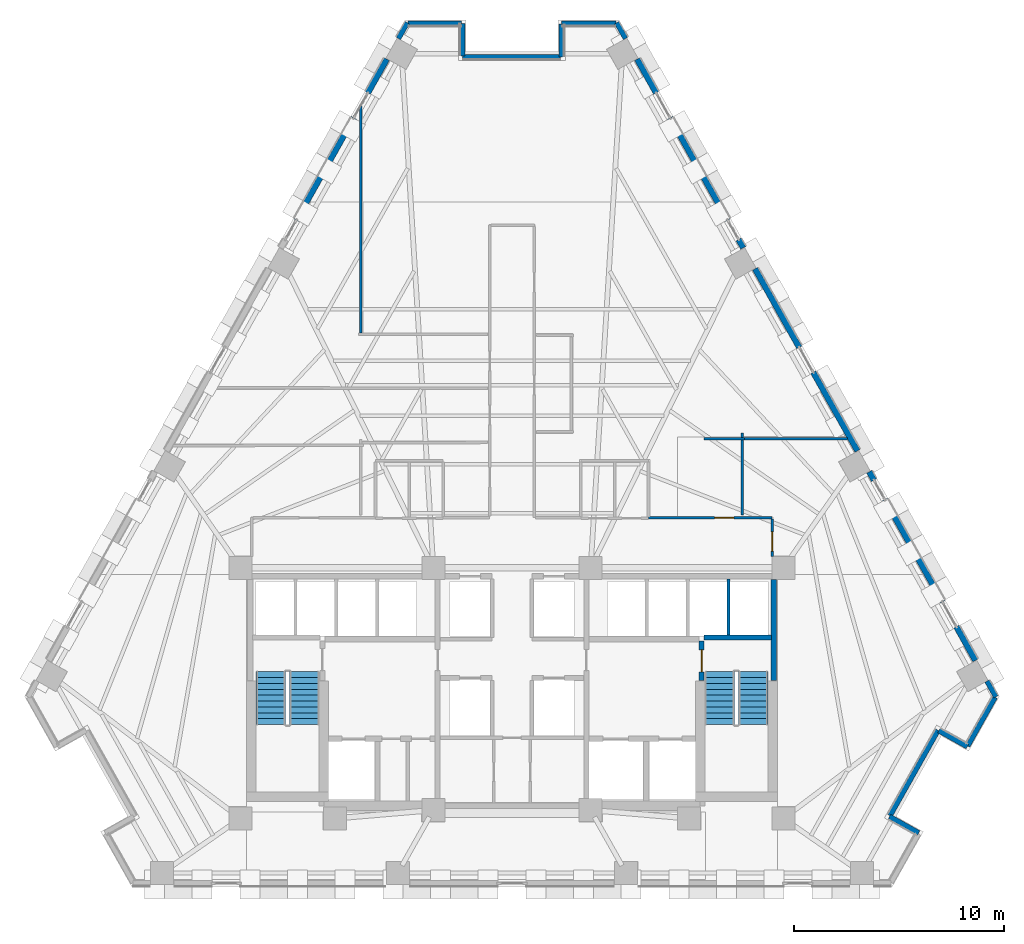
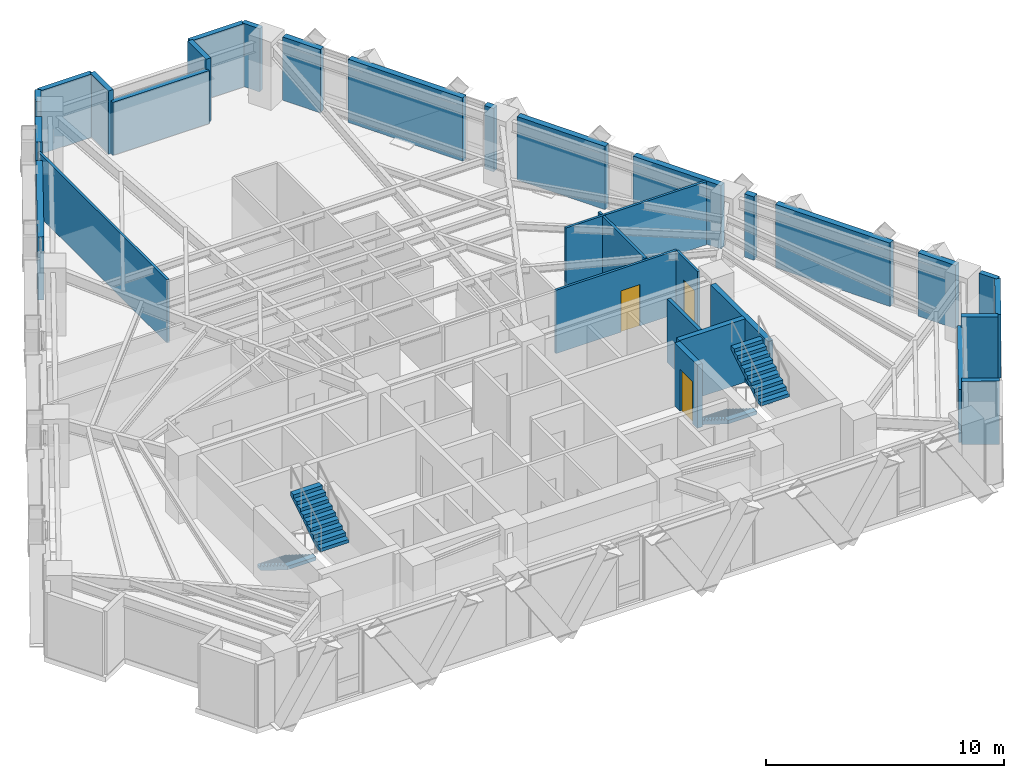
# One storey, part 9 of 13: 33 walls, 4 stair flights, 3 doors, 3 openings, 2 elements without a shape of their own.
"""IFC4 building model written with IfcOpenShell, lengths in metres."""

from ifc_helpers import new_model, si_unit, direction, frame, frame_2d, origin, place, context, subcontext, project, spatial, polyline, rectangle, outline, extrude, material, layer, layer_set, type_object, element, fill, aggregate, save


model = new_model("IFC4")

# Units and contexts
model_context = context("Model", 3, precision=1e-05, world=origin(), true_north=direction((0.0, 1.0)))
body_context = subcontext(model_context, "Body", "Model", "MODEL_VIEW")
ifc_project = project(units=[si_unit("LENGTHUNIT", "METRE"), si_unit("AREAUNIT", "SQUARE_METRE"), si_unit("VOLUMEUNIT", "CUBIC_METRE"), si_unit("PLANEANGLEUNIT", "RADIAN"), si_unit("MASSUNIT", "GRAM", prefix="KILO")], contexts=[model_context])

# Site, building, storey
site_placement = place(None, origin())
site = spatial("IfcSite", under=ifc_project, at=site_placement, CompositionType="ELEMENT")
building_placement = place(site_placement, origin())
building = spatial("IfcBuilding", under=site, at=building_placement, Name="Quenlor Broadcast Tower", CompositionType="ELEMENT")
storey_placement = place(building_placement, frame((0.0, 0.0, 98.5)))
storey = spatial("IfcBuildingStorey", under=building, at=storey_placement, Name="L26", CompositionType="ELEMENT", Elevation=98.5)

# Wall, opening, door
ifc_material_1 = material(Name="Concrete C40/50", Category="concrete")
ifc_layer_1 = layer(ifc_material_1, 0.25)
ifc_layer_set_1 = layer_set([ifc_layer_1], Name="Fire Rated Concrete C40/50 Core Wall 250")
wall_type_1 = type_object("IfcWallType", Name="Fire Rated Concrete C40/50 Core Wall 250", PredefinedType="PARTITIONING", material=ifc_layer_set_1)
wall_1_placement = place(storey_placement, frame((9.0400390625, -10.179931640625, 0.0), z_axis=(0.0, 0.0, 1.0), x_axis=(0.0, 1.0, 0.0)))
wall_1 = element("IfcWall", 1, at=wall_1_placement, inside=storey, type_object=wall_type_1, Name="L26 Interior Wall CW-ST2-DR", PredefinedType="PARTITIONING", context=body_context, shape_type="SweptSolid", body=[
    extrude(rectangle(XDim=1.89990234375, YDim=0.25, at=frame_2d((0.949951171875, 0.0))), origin(), (0.0, 0.0, 1.0), 3.25),
])
opening_1_placement = place(wall_1_placement, frame((0.419921875, 0.0, 0.0)))
opening_1 = element("IfcOpeningElement", 2, at=opening_1_placement, cuts=wall_1, Name="Opening FD-1", PredefinedType="OPENING", context=body_context, shape_type="SweptSolid", body=[
    extrude(rectangle(XDim=1.050048828125, YDim=2.14990234375, at=frame_2d((0.52490234375, 1.074951171875))), frame((0.0, 0.135009765625, 0.0), z_axis=(0.0, -1.0, 0.0), x_axis=(1.0, 0.0, 0.0)), (0.0, 0.0, 1.0), 0.27001953125),
])
ifc_material_2 = material(Name="Fire Rated Steel Door Leaf", Category="steel")
door_type_1 = type_object("IfcDoorType", Name="Fire Isolated Stair Door 1050x2150", OperationType="NOTDEFINED", PredefinedType="DOOR", material=ifc_material_2)
door_1_placement = place(opening_1_placement, origin())
door_1 = element("IfcDoor", 3, at=door_1_placement, inside=storey, type_object=door_type_1, Name="L26 Door DR-ST2", OperationType="SINGLE_SWING_RIGHT", OverallHeight=2.14990234375, OverallWidth=1.050048828125, PredefinedType="DOOR", context=body_context, shape_type="SweptSolid", body=[
    extrude(rectangle(XDim=1.050048828125, YDim=2.14990234375, at=frame_2d((0.52490234375, 1.074951171875))), frame((0.0, 0.02490234375, 0.0), z_axis=(0.0, -1.0, 0.0), x_axis=(1.0, 0.0, 0.0)), (0.0, 0.0, 1.0), 0.050048828125),
])
fill(opening_1, door_1)

# Walls
wall_2_placement = place(storey_placement, frame((9.159912109375, -8.1201171875, 0.0), z_axis=(0.0, 0.0, 1.0), x_axis=(1.0, 0.0, 0.0)))
element("IfcWall", 4, at=wall_2_placement, inside=storey, type_object=wall_type_1, Name="L26 Interior Wall CW-ST2-N", PredefinedType="PARTITIONING", context=body_context, shape_type="SweptSolid", body=[
    extrude(rectangle(XDim=3.219970703125, YDim=0.25, at=frame_2d((1.60986328125, 0.0))), origin(), (0.0, 0.0, 1.0), 3.25),
])
wall_3_placement = place(storey_placement, frame((12.47998046875, -10.179931640625, 0.0), z_axis=(0.0, 0.0, 1.0), x_axis=(0.0, 1.0, 0.0)))
element("IfcWall", 5, at=wall_3_placement, inside=storey, type_object=wall_type_1, Name="L26 Interior Wall CW-ST2-E2", PredefinedType="PARTITIONING", context=body_context, shape_type="SweptSolid", body=[
    extrude(rectangle(XDim=4.827880859375, YDim=0.25, at=frame_2d((2.4140625, 0.0))), origin(), (0.0, 0.0, 1.0), 3.25),
])
ifc_material_3 = material(Name="Gypsum Fireboard Partition", Category="other")
ifc_layer_2 = layer(ifc_material_3, 0.159912109375)
ifc_layer_set_2 = layer_set([ifc_layer_2], Name="Fire Rated Shaft and Corridor Partition 160")
wall_type_2 = type_object("IfcWallType", Name="Fire Rated Shaft and Corridor Partition 160", PredefinedType="PARTITIONING", material=ifc_layer_set_2)
wall_4_placement = place(storey_placement, frame((10.324951171875, -7.992919921875, 0.0), z_axis=(0.0, 0.0, 1.0), x_axis=(0.0, 1.0, 0.0)))
element("IfcWall", 6, at=wall_4_placement, inside=storey, type_object=wall_type_2, Name="L26 Interior Wall CW-PLH-D3", PredefinedType="PARTITIONING", context=body_context, shape_type="SweptSolid", body=[
    extrude(rectangle(XDim=2.65283203125, YDim=0.159912109375, at=frame_2d((1.326416015625, 0.0))), origin(), (0.0, 0.0, 1.0), 3.25),
])

# Wall, opening, door
ifc_material_4 = material(Name="Gypsum Plasterboard Partition", Category="other")
ifc_layer_3 = layer(ifc_material_4, 0.1201171875)
ifc_layer_set_3 = layer_set([ifc_layer_3], Name="Standard Office Partition 120")
wall_type_3 = type_object("IfcWallType", Name="Standard Office Partition 120", PredefinedType="PARTITIONING", material=ifc_layer_set_3)
wall_5_placement = place(storey_placement, frame((6.511962890625, -2.39990234375, 0.0), z_axis=(0.0, 0.0, 1.0), x_axis=(1.0, 0.0, 0.0)))
wall_5 = element("IfcWall", 7, at=wall_5_placement, inside=storey, type_object=wall_type_3, Name="L26 Interior Wall PW-CR-06S2", PredefinedType="PARTITIONING", context=body_context, shape_type="SweptSolid", body=[
    extrude(rectangle(XDim=5.89794921875, YDim=0.1201171875, at=frame_2d((2.948974609375, 0.0))), origin(), (0.0, 0.0, 1.0), 3.25),
])
opening_2_placement = place(wall_5_placement, frame((3.14990234375, 0.0, 0.0)))
opening_2 = element("IfcOpeningElement", 8, at=opening_2_placement, cuts=wall_5, Name="Opening ID-1", PredefinedType="OPENING", context=body_context, shape_type="SweptSolid", body=[
    extrude(rectangle(XDim=0.919921875, YDim=2.1201171875, at=frame_2d((0.4599609375, 1.06005859375))), frame((0.0, 0.070068359375, 0.0), z_axis=(0.0, -1.0, 0.0), x_axis=(1.0, 0.0, 0.0)), (0.0, 0.0, 1.0), 0.14013671875),
])
ifc_material_5 = material(Name="Solid Core Timber Oak", Category="wood")
door_type_2 = type_object("IfcDoorType", Name="Single Leaf Timber Office Door 920x2120", OperationType="NOTDEFINED", PredefinedType="DOOR", material=ifc_material_5)
door_2_placement = place(opening_2_placement, origin())
door_2 = element("IfcDoor", 9, at=door_2_placement, inside=storey, type_object=door_type_2, Name="L26 Door DR-RM06", OperationType="SINGLE_SWING_RIGHT", OverallHeight=2.1201171875, OverallWidth=0.919921875, PredefinedType="DOOR", context=body_context, shape_type="SweptSolid", body=[
    extrude(rectangle(XDim=0.919921875, YDim=2.1201171875, at=frame_2d((0.4599609375, 1.06005859375))), frame((0.0, 0.02490234375, 0.0), z_axis=(0.0, -1.0, 0.0), x_axis=(1.0, 0.0, 0.0)), (0.0, 0.0, 1.0), 0.050048828125),
])
fill(opening_2, door_2)

wall_6_placement = place(storey_placement, frame((12.409912109375, -2.4619140625, 0.0), z_axis=(0.0, 0.0, 1.0), x_axis=(0.0, -1.0, 0.0)))
wall_6 = element("IfcWall", 10, at=wall_6_placement, inside=storey, type_object=wall_type_3, Name="L26 Interior Wall PW-CR-07", PredefinedType="PARTITIONING", context=body_context, shape_type="SweptSolid", body=[
    extrude(rectangle(XDim=1.7861328125, YDim=0.1201171875, at=frame_2d((0.89306640625, 0.0))), origin(), (0.0, 0.0, 1.0), 3.25),
])
opening_3_placement = place(wall_6_placement, frame((0.623046875, 0.0, 0.0)))
opening_3 = element("IfcOpeningElement", 11, at=opening_3_placement, cuts=wall_6, Name="Opening ID-1", PredefinedType="OPENING", context=body_context, shape_type="SweptSolid", body=[
    extrude(rectangle(XDim=0.919921875, YDim=2.1201171875, at=frame_2d((0.4599609375, 1.06005859375))), frame((0.0, 0.070068359375, 0.0), z_axis=(0.0, -1.0, 0.0), x_axis=(1.0, 0.0, 0.0)), (0.0, 0.0, 1.0), 0.14013671875),
])
door_3_placement = place(opening_3_placement, origin())
door_3 = element("IfcDoor", 12, at=door_3_placement, inside=storey, type_object=door_type_2, Name="L26 Door DR-RM07", OperationType="SINGLE_SWING_LEFT", OverallHeight=2.1201171875, OverallWidth=0.919921875, PredefinedType="DOOR", context=body_context, shape_type="SweptSolid", body=[
    extrude(rectangle(XDim=0.919921875, YDim=2.1201171875, at=frame_2d((0.4599609375, 1.06005859375))), frame((0.0, 0.02490234375, 0.0), z_axis=(0.0, -1.0, 0.0), x_axis=(1.0, 0.0, 0.0)), (0.0, 0.0, 1.0), 0.050048828125),
])
fill(opening_3, door_3)

# Walls
wall_7_placement = place(storey_placement, frame((-7.219970703125, 6.39208984375, 0.0), z_axis=(0.0, 0.0, 1.0), x_axis=(0.000405642911, 0.999999917727, 0.0)))
element("IfcWall", 13, at=wall_7_placement, inside=storey, type_object=wall_type_3, Name="L26 Interior Wall PW-DV-02", PredefinedType="PARTITIONING", context=body_context, shape_type="SweptSolid", body=[
    extrude(rectangle(XDim=10.83349609375, YDim=0.1201171875, at=frame_2d((5.416748046875, 0.0))), origin(), (0.0, 0.0, 1.0), 3.25),
])
wall_8_placement = place(storey_placement, frame((11.08251953125, 1.35009765625, 0.0), z_axis=(0.0, 0.0, 1.0), x_axis=(-1.0, 0.0, 0.0)))
element("IfcWall", 14, at=wall_8_placement, inside=storey, type_object=wall_type_3, Name="L26 Interior Wall PW-DV-06", PredefinedType="PARTITIONING", context=body_context, shape_type="SweptSolid", body=[
    extrude(rectangle(XDim=1.92041015625, YDim=0.1201171875, at=frame_2d((0.960205078125, 0.0))), origin(), (0.0, 0.0, 1.0), 3.25),
])
wall_9_placement = place(storey_placement, frame((15.994140625, 1.35009765625, 0.0), z_axis=(0.0, 0.0, 1.0), x_axis=(-1.0, 0.0, 0.0)))
element("IfcWall", 15, at=wall_9_placement, inside=storey, type_object=wall_type_3, Name="L26 Interior Wall PW-DV-07", PredefinedType="PARTITIONING", context=body_context, shape_type="SweptSolid", body=[
    extrude(rectangle(XDim=4.90966796875, YDim=0.1201171875, at=frame_2d((2.454833984375, 0.0))), origin(), (0.0, 0.0, 1.0), 3.25),
])
wall_10_placement = place(storey_placement, frame((10.982421875, 1.639892578125, 0.0), z_axis=(0.0, 0.0, 1.0), x_axis=(0.0, -1.0, 0.0)))
element("IfcWall", 16, at=wall_10_placement, inside=storey, type_object=wall_type_3, Name="L26 Interior Wall PW-DV-12", PredefinedType="PARTITIONING", context=body_context, shape_type="SweptSolid", body=[
    extrude(rectangle(XDim=0.227783203125, YDim=0.1201171875, at=frame_2d((0.11376953125, 0.0))), origin(), (0.0, 0.0, 1.0), 3.25),
])
wall_11_placement = place(storey_placement, frame((10.982421875, 1.2880859375, 0.0), z_axis=(0.0, 0.0, 1.0), x_axis=(0.0, -1.0, 0.0)))
element("IfcWall", 17, at=wall_11_placement, inside=storey, type_object=wall_type_3, Name="L26 Interior Wall PW-DV-12S2", PredefinedType="PARTITIONING", context=body_context, shape_type="SweptSolid", body=[
    extrude(rectangle(XDim=3.578125, YDim=0.1201171875, at=frame_2d((1.7890625, 0.0))), origin(), (0.0, 0.0, 1.0), 3.25),
])
ifc_material_6 = material(Name="Precast concrete C40/50", Category="concrete")
ifc_layer_4 = layer(ifc_material_6, 0.239990234375)
ifc_layer_set_4 = layer_set([ifc_layer_4], Name="Terrace Threshold Precast Concrete C40/50 Wall 240")
wall_type_4 = type_object("IfcWallType", Name="Terrace Threshold Precast Concrete C40/50 Wall 240", PredefinedType="STANDARD", material=ifc_layer_set_4)
for number, where, z_axis, x_axis, name in (
    (18, (4.992919921875, 21.197265625, 0.0), (0.0, 0.0, 1.0), (0.490355003566, -0.871522788272, 0.0), "L26 Exterior Wall L26-SHD-NES0"),
    (19, (22.65380859375, -10.199951171875, 0.0), (0.0, 0.0, 1.0), (0.490355003566, -0.871522788272, 0.0), "L26 Exterior Wall L26-SHD-NES1"),
    (20, (-5.417236328125, 20.443115234375, 0.0), (0.0, 0.0, 1.0), (0.490355003566, 0.871522788272, 0.0), "L26 Exterior Wall L26-SHD-NWS1"),
):
    element("IfcWall", number, at=place(storey_placement, frame(where, z_axis=z_axis, x_axis=x_axis)), inside=storey, type_object=wall_type_4, Name=name, PredefinedType="STANDARD", context=body_context, shape_type="SweptSolid", body=[
        extrude(rectangle(XDim=0.865234375, YDim=0.239990234375, at=frame_2d((0.4326171875, 0.0))), origin(), (0.0, 0.0, 1.0), 3.25),
    ])
wall_12_placement = place(storey_placement, frame((19.39892578125, -17.4423828125, 0.0), z_axis=(0.0, 0.0, 1.0), x_axis=(-0.871575537125, 0.490261239633, 0.0)))
element("IfcWall", 21, at=wall_12_placement, inside=storey, type_object=wall_type_4, Name="L26 Exterior Wall L26-CNR-01", PredefinedType="STANDARD", context=body_context, shape_type="SweptSolid", body=[
    extrude(rectangle(XDim=1.60009765625, YDim=0.239990234375, at=frame_2d((0.800048828125, 0.0))), origin(), (0.0, 0.0, 1.0), 3.25),
])
wall_13_placement = place(storey_placement, frame((18.024169921875, -16.623046875, 0.0), z_axis=(0.0, 0.0, 1.0), x_axis=(0.490273623647, 0.871568571001, 0.0)))
element("IfcWall", 22, at=wall_13_placement, inside=storey, type_object=wall_type_4, Name="L26 Exterior Wall L26-CNR-02", PredefinedType="STANDARD", context=body_context, shape_type="SweptSolid", body=[
    extrude(rectangle(XDim=4.679931640625, YDim=0.239990234375, at=frame_2d((2.33984375, 0.0))), origin(), (0.0, 0.0, 1.0), 2.7216796875),
])
wall_14_placement = place(storey_placement, frame((20.353515625, -12.563720703125, 0.0), z_axis=(0.0, 0.0, 1.0), x_axis=(0.871546278971, -0.490313250496, 0.0)))
element("IfcWall", 23, at=wall_14_placement, inside=storey, type_object=wall_type_4, Name="L26 Exterior Wall L26-CNR-03", PredefinedType="STANDARD", context=body_context, shape_type="SweptSolid", body=[
    extrude(rectangle(XDim=1.56005859375, YDim=0.239990234375, at=frame_2d((0.780029296875, 0.0))), origin(), (0.0, 0.0, 1.0), 3.25),
])
wall_15_placement = place(storey_placement, frame((21.732666015625, -13.293701171875, 0.0), z_axis=(0.0, 0.0, 1.0), x_axis=(0.490265590412, 0.871573089797, 0.0)))
element("IfcWall", 24, at=wall_15_placement, inside=storey, type_object=wall_type_4, Name="L26 Exterior Wall L26-CNR-04", PredefinedType="STANDARD", context=body_context, shape_type="SweptSolid", body=[
    extrude(rectangle(XDim=2.6640625, YDim=0.239990234375, at=frame_2d((1.33203125, 0.0))), origin(), (0.0, 0.0, 1.0), 3.25),
])
wall_16_placement = place(storey_placement, frame((4.95947265625, 21.16796875, 0.0), z_axis=(0.0, 0.0, 1.0), x_axis=(-1.0, 0.0, 0.0)))
element("IfcWall", 25, at=wall_16_placement, inside=storey, type_object=wall_type_4, Name="L26 Exterior Wall L26-CNR-06", PredefinedType="STANDARD", context=body_context, shape_type="SweptSolid", body=[
    extrude(rectangle(XDim=2.599365234375, YDim=0.239990234375, at=frame_2d((1.2998046875, 0.0))), origin(), (0.0, 0.0, 1.0), 3.25),
])
wall_17_placement = place(storey_placement, frame((2.360107421875, 21.1279296875, 0.0), z_axis=(0.0, 0.0, 1.0), x_axis=(0.0, -1.0, 0.0)))
element("IfcWall", 26, at=wall_17_placement, inside=storey, type_object=wall_type_4, Name="L26 Exterior Wall L26-CNR-07", PredefinedType="STANDARD", context=body_context, shape_type="SweptSolid", body=[
    extrude(rectangle(XDim=1.559814453125, YDim=0.239990234375, at=frame_2d((0.77978515625, 0.0))), origin(), (0.0, 0.0, 1.0), 3.25),
])
wall_18_placement = place(storey_placement, frame((2.320068359375, 19.568115234375, 0.0), z_axis=(0.0, 0.0, 1.0), x_axis=(-1.0, 0.0, 0.0)))
element("IfcWall", 27, at=wall_18_placement, inside=storey, type_object=wall_type_4, Name="L26 Exterior Wall L26-CNR-08", PredefinedType="STANDARD", context=body_context, shape_type="SweptSolid", body=[
    extrude(rectangle(XDim=4.68017578125, YDim=0.239990234375, at=frame_2d((2.340087890625, 0.0))), origin(), (0.0, 0.0, 1.0), 2.7216796875),
])
wall_19_placement = place(storey_placement, frame((-2.360107421875, 19.60791015625, 0.0), z_axis=(0.0, 0.0, 1.0), x_axis=(0.0, 1.0, 0.0)))
element("IfcWall", 28, at=wall_19_placement, inside=storey, type_object=wall_type_4, Name="L26 Exterior Wall L26-CNR-09", PredefinedType="STANDARD", context=body_context, shape_type="SweptSolid", body=[
    extrude(rectangle(XDim=1.56005859375, YDim=0.239990234375, at=frame_2d((0.780029296875, 0.0))), origin(), (0.0, 0.0, 1.0), 3.25),
])
wall_20_placement = place(storey_placement, frame((-2.39990234375, 21.16796875, 0.0), z_axis=(0.0, 0.0, 1.0), x_axis=(-1.0, 0.0, 0.0)))
element("IfcWall", 29, at=wall_20_placement, inside=storey, type_object=wall_type_4, Name="L26 Exterior Wall L26-CNR-10", PredefinedType="STANDARD", context=body_context, shape_type="SweptSolid", body=[
    extrude(rectangle(XDim=2.5595703125, YDim=0.239990234375, at=frame_2d((1.27978515625, 0.0))), origin(), (0.0, 0.0, 1.0), 3.25),
])
ifc_material_7 = material(Name="Precast concrete C40/50", Category="concrete")
ifc_layer_5 = layer(ifc_material_7, 0.280029296875)
ifc_layer_set_5 = layer_set([ifc_layer_5], Name="Terracotta Precast Concrete C40/50 Facade Wall 280")
wall_type_5 = type_object("IfcWallType", Name="Terracotta Precast Concrete C40/50 Facade Wall 280", PredefinedType="STANDARD", material=ifc_layer_set_5)
wall_21_placement = place(storey_placement, frame((5.97119140625, 19.458251953125, 0.0), z_axis=(0.0, 0.0, 1.0), x_axis=(0.490280102884, -0.871564926277, 0.0)))
element("IfcWall", 30, at=wall_21_placement, inside=storey, type_object=wall_type_5, Name="L26 Exterior Wall L26-NEA-SP1", PredefinedType="STANDARD", context=body_context, shape_type="SweptSolid", body=[
    extrude(rectangle(XDim=1.843505859375, YDim=0.280029296875, at=frame_2d((0.921875, 0.0))), origin(), (0.0, 0.0, 1.0), 3.25),
])
wall_22_placement = place(storey_placement, frame((7.543701171875, 16.662353515625, 0.0), z_axis=(0.0, 0.0, 1.0), x_axis=(0.490298514233, -0.871554569113, 0.0)))
element("IfcWall", 31, at=wall_22_placement, inside=storey, type_object=wall_type_5, Name="L26 Exterior Wall L26-NEA-SP2", PredefinedType="STANDARD", context=body_context, shape_type="SweptSolid", body=[
    extrude(rectangle(XDim=5.597412109375, YDim=0.280029296875, at=frame_2d((2.798828125, 0.0))), origin(), (0.0, 0.0, 1.0), 3.25),
])
for number, where, z_axis, x_axis, name in (
    (32, (10.806396484375, 10.862060546875, 0.0), (0.0, 0.0, 1.0), (0.490412424957, -0.871490478116, 0.0), "L26 Exterior Wall L26-NEA-SP3"),
    (33, (17.0390625, -0.218017578125, 0.0), (0.0, 0.0, 1.0), (0.490009165718, -0.871717280724, 0.0), "L26 Exterior Wall L26-NEC-SP1"),
):
    element("IfcWall", number, at=place(storey_placement, frame(where, z_axis=z_axis, x_axis=x_axis)), inside=storey, type_object=wall_type_5, Name=name, PredefinedType="STANDARD", context=body_context, shape_type="SweptSolid", body=[
        extrude(rectangle(XDim=0.4599609375, YDim=0.280029296875, at=frame_2d((0.22998046875, 0.0))), origin(), (0.0, 0.0, 1.0), 3.25),
    ])
wall_23_placement = place(storey_placement, frame((17.782958984375, -1.540771484375, 0.0), z_axis=(0.0, 0.0, 1.0), x_axis=(0.490265381388, -0.871573207374, 0.0)))
element("IfcWall", 34, at=wall_23_placement, inside=storey, type_object=wall_type_5, Name="L26 Exterior Wall L26-NEC-SP2", PredefinedType="STANDARD", context=body_context, shape_type="SweptSolid", body=[
    extrude(rectangle(XDim=5.59716796875, YDim=0.280029296875, at=frame_2d((2.798583984375, 0.0))), origin(), (0.0, 0.0, 1.0), 3.25),
])
wall_24_placement = place(storey_placement, frame((21.196044921875, -7.6083984375, 0.0), z_axis=(0.0, 0.0, 1.0), x_axis=(0.490280102884, -0.871564926277, 0.0)))
element("IfcWall", 35, at=wall_24_placement, inside=storey, type_object=wall_type_5, Name="L26 Exterior Wall L26-NEC-SP3", PredefinedType="STANDARD", context=body_context, shape_type="SweptSolid", body=[
    extrude(rectangle(XDim=1.843505859375, YDim=0.280029296875, at=frame_2d((0.921875, 0.0))), origin(), (0.0, 0.0, 1.0), 3.25),
])
for number, where, z_axis, x_axis, name in (
    (36, (11.59326171875, 9.463134765625, 0.0), (0.0, 0.0, 1.0), (0.490293592365, -0.871557337922, 0.0), "L26 Exterior Wall L26-NE-SP1"),
    (37, (14.369873046875, 4.527099609375, 0.0), (0.0, 0.0, 1.0), (0.490293592365, -0.871557337922, 0.0), "L26 Exterior Wall L26-NE-SP2"),
):
    element("IfcWall", number, at=place(storey_placement, frame(where, z_axis=z_axis, x_axis=x_axis)), inside=storey, type_object=wall_type_5, Name=name, PredefinedType="STANDARD", context=body_context, shape_type="SweptSolid", body=[
        extrude(rectangle(XDim=4.29931640625, YDim=0.280029296875, at=frame_2d((2.149658203125, 0.0))), origin(), (0.0, 0.0, 1.0), 3.25),
    ])
wall_25_placement = place(storey_placement, frame((-10.2880859375, 11.783935546875, 0.0), z_axis=(0.0, 0.0, 1.0), x_axis=(0.490298514233, 0.871554569113, 0.0)))
element("IfcWall", 38, at=wall_25_placement, inside=storey, type_object=wall_type_5, Name="L26 Exterior Wall L26-NWC-SP2", PredefinedType="STANDARD", context=body_context, shape_type="SweptSolid", body=[
    extrude(rectangle(XDim=5.597412109375, YDim=0.280029296875, at=frame_2d((2.798828125, 0.0))), origin(), (0.0, 0.0, 1.0), 3.25),
])
wall_26_placement = place(storey_placement, frame((-6.875, 17.8515625, 0.0), z_axis=(0.0, 0.0, 1.0), x_axis=(0.490280102884, 0.871564926277, 0.0)))
element("IfcWall", 39, at=wall_26_placement, inside=storey, type_object=wall_type_5, Name="L26 Exterior Wall L26-NWC-SP3", PredefinedType="STANDARD", context=body_context, shape_type="SweptSolid", body=[
    extrude(rectangle(XDim=1.843505859375, YDim=0.280029296875, at=frame_2d((0.921875, 0.0))), origin(), (0.0, 0.0, 1.0), 3.25),
])

# Stair, stair flights
ifc_material_8 = material(Name="Precast concrete C40/50", Category="concrete")
stair_type = type_object("IfcStairType", Name="Precast Concrete C40/50 Dogleg Stair H350", PredefinedType="HALF_TURN_STAIR", material=ifc_material_8)
stair_1_placement = place(storey_placement, origin())
stair_1 = element("IfcStair", 40, at=stair_1_placement, inside=storey, type_object=stair_type, Name="L26 West Core Fire-Isolated Exit Stair ST-1", PredefinedType="HALF_TURN_STAIR")
ifc_material_9 = material(Name="Precast concrete C40/50", Category="concrete")
ifc_layer_6 = layer(ifc_material_9, 0.159912109375)
ifc_layer_set_6 = layer_set([ifc_layer_6], Name="Precast Concrete C40/50 Stair Flight H350")
stair_flight_type = type_object("IfcStairFlightType", Name="Precast Concrete C40/50 Stair Flight H350", PredefinedType="STRAIGHT", material=ifc_layer_set_6)
stair_flight_1_placement = place(storey_placement, frame((-11.5, -9.75, 0.0), z_axis=(0.0, 0.0, 1.0), x_axis=(0.0, -1.0, 0.0)))
stair_flight_1 = element("IfcStairFlight", 41, at=stair_flight_1_placement, type_object=stair_flight_type, Name="ST-1 flight 1", NumberOfRisers=10, NumberOfTreads=9, PredefinedType="STRAIGHT", RiserHeight=0.175, TreadLength=0.28, context=body_context, shape_type="SweptSolid", body=[
    extrude(outline(polyline([(0.0, 0.0), (0.0, 0.175048828125), (0.280029296875, 0.175048828125), (0.280029296875, 0.35009765625), (0.56005859375, 0.35009765625), (0.56005859375, 0.52490234375), (0.840087890625, 0.52490234375), (0.840087890625, 0.699951171875), (1.1201171875, 0.699951171875), (1.1201171875, 0.875), (1.39990234375, 0.875), (1.39990234375, 1.050048828125), (1.679931640625, 1.050048828125), (1.679931640625, 1.22509765625), (1.9599609375, 1.22509765625), (1.9599609375, 1.39990234375), (2.239990234375, 1.39990234375), (2.239990234375, 1.574951171875), (2.52001953125, 1.574951171875), (2.52001953125, 1.75), (2.52001953125, 1.398193359375), (0.28271484375, 0.0), (0.0, 0.0)])), frame((0.0, 0.699951171875, 0.0), z_axis=(0.0, -1.0, 0.0), x_axis=(1.0, 0.0, 0.0)), (0.0, 0.0, 1.0), 1.39990234375),
])
stair_flight_2_placement = place(storey_placement, frame((-9.89990234375, -12.27001953125, 1.75), z_axis=(0.0, 0.0, 1.0), x_axis=(0.0, 1.0, 0.0)))
stair_flight_2 = element("IfcStairFlight", 42, at=stair_flight_2_placement, type_object=stair_flight_type, Name="ST-1 flight 2", NumberOfRisers=10, NumberOfTreads=9, PredefinedType="STRAIGHT", RiserHeight=0.175, TreadLength=0.28, context=body_context, shape_type="SweptSolid", body=[
    extrude(outline(polyline([(0.0, 0.0), (0.0, 0.175048828125), (0.280029296875, 0.175048828125), (0.280029296875, 0.35009765625), (0.56005859375, 0.35009765625), (0.56005859375, 0.52490234375), (0.840087890625, 0.52490234375), (0.840087890625, 0.699951171875), (1.1201171875, 0.699951171875), (1.1201171875, 0.875), (1.39990234375, 0.875), (1.39990234375, 1.050048828125), (1.679931640625, 1.050048828125), (1.679931640625, 1.22509765625), (1.9599609375, 1.22509765625), (1.9599609375, 1.39990234375), (2.239990234375, 1.39990234375), (2.239990234375, 1.574951171875), (2.52001953125, 1.574951171875), (2.52001953125, 1.75), (2.52001953125, 1.398193359375), (0.28271484375, 0.0), (0.0, 0.0)])), frame((0.0, 0.699951171875, 0.0), z_axis=(0.0, -1.0, 0.0), x_axis=(1.0, 0.0, 0.0)), (0.0, 0.0, 1.0), 1.39990234375),
])
aggregate(stair_1, [stair_flight_1, stair_flight_2])

stair_2_placement = place(storey_placement, origin())
stair_2 = element("IfcStair", 43, at=stair_2_placement, inside=storey, type_object=stair_type, Name="L26 East Core Fire-Isolated Exit Stair ST-2", PredefinedType="HALF_TURN_STAIR")
stair_flight_3_placement = place(storey_placement, frame((9.89990234375, -9.75, 0.0), z_axis=(0.0, 0.0, 1.0), x_axis=(0.0, -1.0, 0.0)))
stair_flight_3 = element("IfcStairFlight", 44, at=stair_flight_3_placement, type_object=stair_flight_type, Name="ST-2 flight 1", NumberOfRisers=10, NumberOfTreads=9, PredefinedType="STRAIGHT", RiserHeight=0.175, TreadLength=0.28, context=body_context, shape_type="SweptSolid", body=[
    extrude(outline(polyline([(0.0, 0.0), (0.0, 0.175048828125), (0.280029296875, 0.175048828125), (0.280029296875, 0.35009765625), (0.56005859375, 0.35009765625), (0.56005859375, 0.52490234375), (0.840087890625, 0.52490234375), (0.840087890625, 0.699951171875), (1.1201171875, 0.699951171875), (1.1201171875, 0.875), (1.39990234375, 0.875), (1.39990234375, 1.050048828125), (1.679931640625, 1.050048828125), (1.679931640625, 1.22509765625), (1.9599609375, 1.22509765625), (1.9599609375, 1.39990234375), (2.239990234375, 1.39990234375), (2.239990234375, 1.574951171875), (2.52001953125, 1.574951171875), (2.52001953125, 1.75), (2.52001953125, 1.398193359375), (0.28271484375, 0.0), (0.0, 0.0)])), frame((0.0, 0.699951171875, 0.0), z_axis=(0.0, -1.0, 0.0), x_axis=(1.0, 0.0, 0.0)), (0.0, 0.0, 1.0), 1.39990234375),
])
stair_flight_4_placement = place(storey_placement, frame((11.5, -12.27001953125, 1.75), z_axis=(0.0, 0.0, 1.0), x_axis=(0.0, 1.0, 0.0)))
stair_flight_4 = element("IfcStairFlight", 45, at=stair_flight_4_placement, type_object=stair_flight_type, Name="ST-2 flight 2", NumberOfRisers=10, NumberOfTreads=9, PredefinedType="STRAIGHT", RiserHeight=0.175, TreadLength=0.28, context=body_context, shape_type="SweptSolid", body=[
    extrude(outline(polyline([(0.0, 0.0), (0.0, 0.175048828125), (0.280029296875, 0.175048828125), (0.280029296875, 0.35009765625), (0.56005859375, 0.35009765625), (0.56005859375, 0.52490234375), (0.840087890625, 0.52490234375), (0.840087890625, 0.699951171875), (1.1201171875, 0.699951171875), (1.1201171875, 0.875), (1.39990234375, 0.875), (1.39990234375, 1.050048828125), (1.679931640625, 1.050048828125), (1.679931640625, 1.22509765625), (1.9599609375, 1.22509765625), (1.9599609375, 1.39990234375), (2.239990234375, 1.39990234375), (2.239990234375, 1.574951171875), (2.52001953125, 1.574951171875), (2.52001953125, 1.75), (2.52001953125, 1.398193359375), (0.28271484375, 0.0), (0.0, 0.0)])), frame((0.0, 0.699951171875, 0.0), z_axis=(0.0, -1.0, 0.0), x_axis=(1.0, 0.0, 0.0)), (0.0, 0.0, 1.0), 1.39990234375),
])
aggregate(stair_2, [stair_flight_3, stair_flight_4])

save(model, "model.ifc")
